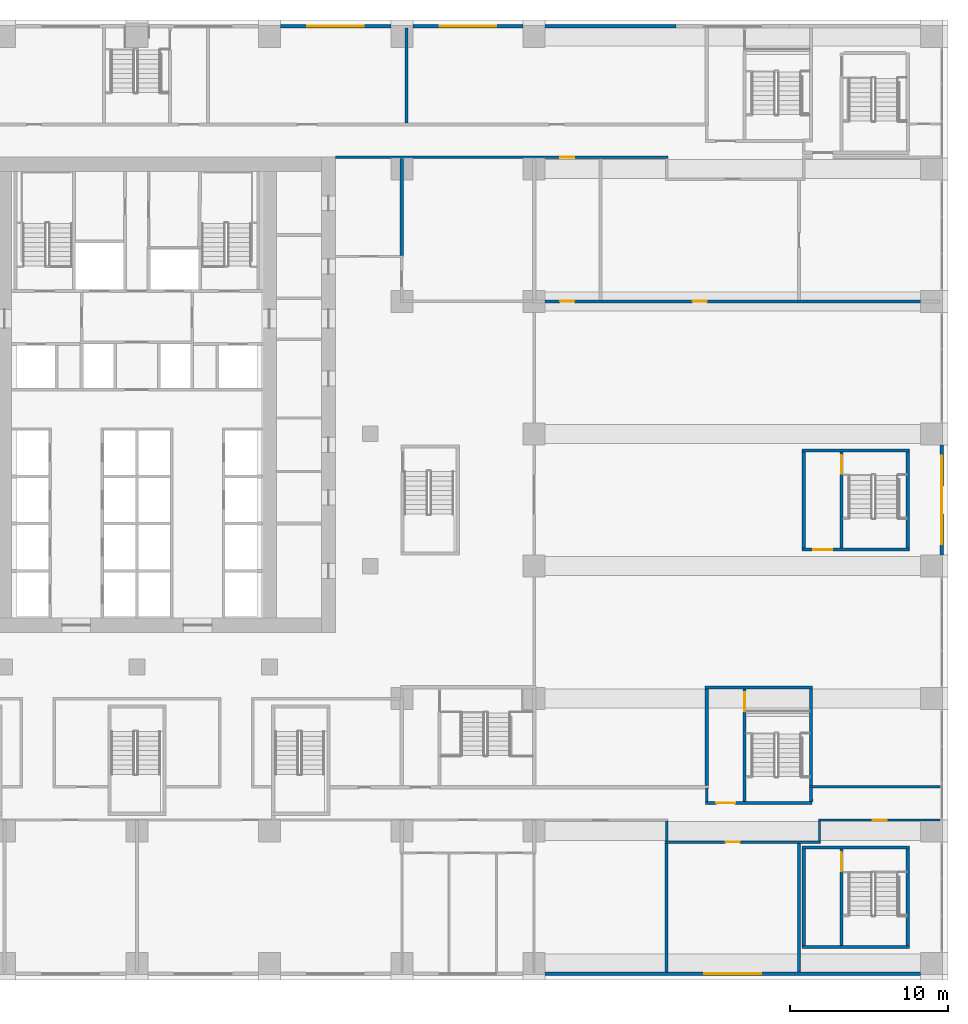
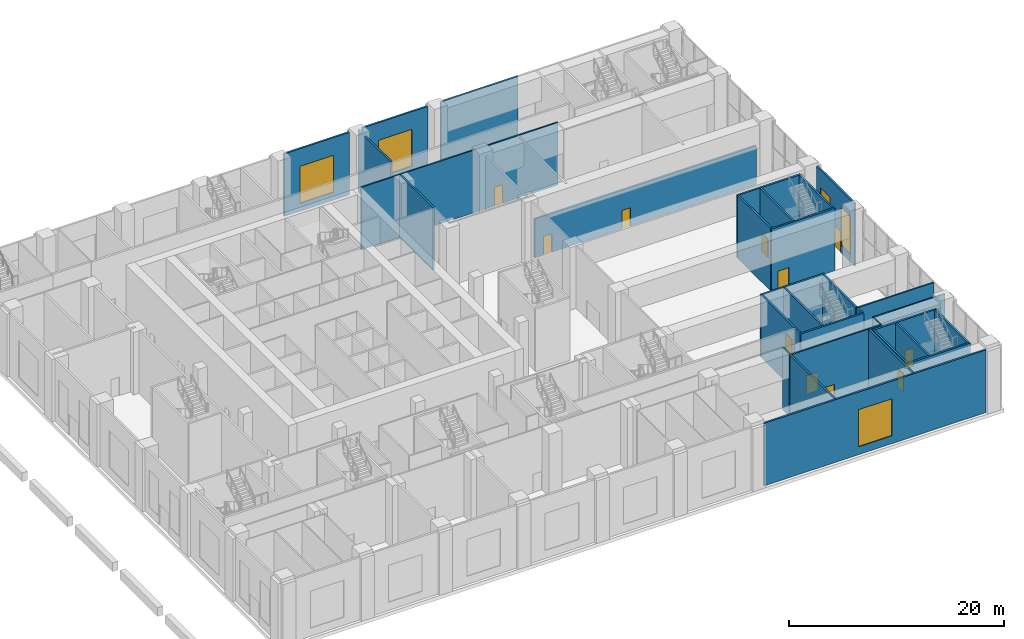
# One storey, part 13 of 29: 33 walls, 11 doors, 5 windows, 16 openings.
"""IFC4 building model written with IfcOpenShell, lengths in metres."""

from ifc_helpers import new_model, si_unit, direction, frame, frame_2d, origin, place, context, subcontext, project, spatial, rectangle, extrude, material, layer, layer_set, type_object, element, fill, save


model = new_model("IFC4")

# Units and contexts
model_context = context("Model", 3, precision=1e-05, world=origin(), true_north=direction((0.0, 1.0)))
body_context = subcontext(model_context, "Body", "Model", "MODEL_VIEW")
ifc_project = project(units=[si_unit("LENGTHUNIT", "METRE"), si_unit("AREAUNIT", "SQUARE_METRE"), si_unit("VOLUMEUNIT", "CUBIC_METRE"), si_unit("PLANEANGLEUNIT", "RADIAN"), si_unit("MASSUNIT", "GRAM", prefix="KILO")], contexts=[model_context])

# Site, building, storey
site_placement = place(None, origin())
site = spatial("IfcSite", under=ifc_project, at=site_placement, CompositionType="ELEMENT")
building_placement = place(site_placement, origin())
building = spatial("IfcBuilding", under=site, at=building_placement, Name="Vermilion Ogive Tower", CompositionType="ELEMENT")
storey_placement = place(building_placement, frame((0.0, 0.0, 12.5)))
storey = spatial("IfcBuildingStorey", under=building, at=storey_placement, Name="L02", CompositionType="ELEMENT", Elevation=12.5)

# Wall, opening, door
ifc_material_1 = material(Name="Gypsum board partition on steel studs", Category="steel")
ifc_layer_1 = layer(ifc_material_1, 0.14990234375)
ifc_layer_set_1 = layer_set([ifc_layer_1], Name="Partition 150 corridor")
wall_type_1 = type_object("IfcWallType", Name="Partition 150 corridor", PredefinedType="PARTITIONING", material=ifc_layer_set_1)
wall_1_placement = place(storey_placement, frame((33.5, -21.699951171875, 0.0), z_axis=(0.0, 0.0, 1.0), x_axis=(1.0, 0.0, 0.0)))
wall_1 = element("IfcWall", 1, at=wall_1_placement, inside=storey, type_object=wall_type_1, Name="L02-FS-W-W005", PredefinedType="PARTITIONING", context=body_context, shape_type="SweptSolid", body=[
    extrude(rectangle(XDim=9.875, YDim=0.14990234375, at=frame_2d((4.9375, 0.0))), origin(), (0.0, 0.0, 1.0), 7.10009765625),
])
opening_1_placement = place(wall_1_placement, frame((3.85009765625, 0.0, 0.0)))
opening_1 = element("IfcOpeningElement", 2, at=opening_1_placement, cuts=wall_1, Name="Opening L02S041", PredefinedType="OPENING", context=body_context, shape_type="SweptSolid", body=[
    extrude(rectangle(XDim=0.89990234375, YDim=2.10009765625, at=frame_2d((0.449951171875, 1.050048828125))), frame((0.0, 0.0849609375, 0.0), z_axis=(0.0, -1.0, 0.0), x_axis=(1.0, 0.0, 0.0)), (0.0, 0.0, 1.0), 0.169921875),
])
ifc_material_2 = material(Name="Timber door leaf", Category="wood")
door_type_1 = type_object("IfcDoorType", Name="Room door 900 x 2100 FD30", OperationType="SINGLE_SWING_LEFT", PredefinedType="DOOR", material=ifc_material_2)
door_1_placement = place(opening_1_placement, origin())
door_1 = element("IfcDoor", 3, at=door_1_placement, inside=storey, type_object=door_type_1, Name="L02-FS-D-D041", OperationType="SINGLE_SWING_RIGHT", OverallHeight=2.10009765625, OverallWidth=0.89990234375, PredefinedType="DOOR", context=body_context, shape_type="SweptSolid", body=[
    extrude(rectangle(XDim=0.89990234375, YDim=2.10009765625, at=frame_2d((0.449951171875, 1.050048828125))), frame((0.0, 0.02490234375, 0.0), z_axis=(0.0, -1.0, 0.0), x_axis=(1.0, 0.0, 0.0)), (0.0, 0.0, 1.0), 0.050048828125),
])
fill(opening_1, door_1)

wall_2_placement = place(storey_placement, frame((43.22509765625, -20.300048828125, 0.0), z_axis=(0.0, 0.0, 1.0), x_axis=(1.0, 0.0, 0.0)))
wall_2 = element("IfcWall", 4, at=wall_2_placement, inside=storey, type_object=wall_type_1, Name="L02-FS-W-W007", PredefinedType="PARTITIONING", context=body_context, shape_type="SweptSolid", body=[
    extrude(rectangle(XDim=7.724853515625, YDim=0.14990234375, at=frame_2d((3.8623046875, 0.0))), origin(), (0.0, 0.0, 1.0), 7.10009765625),
])
opening_2_placement = place(wall_2_placement, frame((3.449951171875, 0.0, 0.0)))
opening_2 = element("IfcOpeningElement", 5, at=opening_2_placement, cuts=wall_2, Name="Opening L02S042", PredefinedType="OPENING", context=body_context, shape_type="SweptSolid", body=[
    extrude(rectangle(XDim=0.89990234375, YDim=2.10009765625, at=frame_2d((0.449951171875, 1.050048828125))), frame((0.0, 0.0849609375, 0.0), z_axis=(0.0, -1.0, 0.0), x_axis=(1.0, 0.0, 0.0)), (0.0, 0.0, 1.0), 0.169921875),
])
door_2_placement = place(opening_2_placement, origin())
door_2 = element("IfcDoor", 6, at=door_2_placement, inside=storey, type_object=door_type_1, Name="L02-FS-D-D042", OperationType="SINGLE_SWING_RIGHT", OverallHeight=2.10009765625, OverallWidth=0.89990234375, PredefinedType="DOOR", context=body_context, shape_type="SweptSolid", body=[
    extrude(rectangle(XDim=0.89990234375, YDim=2.10009765625, at=frame_2d((0.449951171875, 1.050048828125))), frame((0.0, 0.02490234375, 0.0), z_axis=(0.0, -1.0, 0.0), x_axis=(1.0, 0.0, 0.0)), (0.0, 0.0, 1.0), 0.050048828125),
])
fill(opening_2, door_2)

# Wall
wall_3_placement = place(storey_placement, frame((42.64990234375, -18.199951171875, 0.0), z_axis=(0.0, 0.0, 1.0), x_axis=(1.0, 0.0, 0.0)))
element("IfcWall", 7, at=wall_3_placement, inside=storey, type_object=wall_type_1, Name="L02-FS-W-W015", PredefinedType="PARTITIONING", context=body_context, shape_type="SweptSolid", body=[
    extrude(rectangle(XDim=8.300048828125, YDim=0.14990234375, at=frame_2d((4.14990234375, 0.0))), origin(), (0.0, 0.0, 1.0), 7.10009765625),
])

# Wall, opening, door
wall_4_placement = place(storey_placement, frame((12.60107421875, 21.75, 0.0), z_axis=(0.0, 0.0, 1.0), x_axis=(1.0, 0.0, 0.0)))
wall_4 = element("IfcWall", 8, at=wall_4_placement, inside=storey, type_object=wall_type_1, Name="L02-FS-W-W030", PredefinedType="PARTITIONING", context=body_context, shape_type="SweptSolid", body=[
    extrude(rectangle(XDim=21.073974609375, YDim=0.14990234375, at=frame_2d((10.537109375, 0.0))), origin(), (0.0, 0.0, 1.0), 7.10009765625),
])
opening_3_placement = place(wall_4_placement, frame((14.2490234375, 0.0, 0.0)))
opening_3 = element("IfcOpeningElement", 9, at=opening_3_placement, cuts=wall_4, Name="Opening L02S032", PredefinedType="OPENING", context=body_context, shape_type="SweptSolid", body=[
    extrude(rectangle(XDim=0.89990234375, YDim=2.10009765625, at=frame_2d((0.449951171875, 1.050048828125))), frame((0.0, 0.0849609375, 0.0), z_axis=(0.0, -1.0, 0.0), x_axis=(1.0, 0.0, 0.0)), (0.0, 0.0, 1.0), 0.169921875),
])
door_3_placement = place(opening_3_placement, origin())
door_3 = element("IfcDoor", 10, at=door_3_placement, inside=storey, type_object=door_type_1, Name="L02-FS-D-D032", OperationType="SINGLE_SWING_LEFT", OverallHeight=2.10009765625, OverallWidth=0.89990234375, PredefinedType="DOOR", context=body_context, shape_type="SweptSolid", body=[
    extrude(rectangle(XDim=0.89990234375, YDim=2.10009765625, at=frame_2d((0.449951171875, 1.050048828125))), frame((0.0, 0.02490234375, 0.0), z_axis=(0.0, -1.0, 0.0), x_axis=(1.0, 0.0, 0.0)), (0.0, 0.0, 1.0), 0.050048828125),
])
fill(opening_3, door_3)

# Walls
wall_5_placement = place(storey_placement, frame((33.60009765625, -21.625, 0.0), z_axis=(0.0, 0.0, 1.0), x_axis=(0.0, 1.0, 0.0)))
element("IfcWall", 11, at=wall_5_placement, inside=storey, type_object=wall_type_1, Name="L02-FS-W-W077", PredefinedType="PARTITIONING", context=body_context, shape_type="SweptSolid", body=[
    extrude(rectangle(XDim=1.25, YDim=0.14990234375, at=frame_2d((0.625, 0.0))), origin(), (0.0, 0.0, 1.0), 7.10009765625),
])
wall_6_placement = place(storey_placement, frame((36.14990234375, -19.125, 0.0), z_axis=(0.0, 0.0, 1.0), x_axis=(0.0, 1.0, 0.0)))
element("IfcWall", 12, at=wall_6_placement, inside=storey, type_object=wall_type_1, Name="L02-FS-W-W079", PredefinedType="PARTITIONING", context=body_context, shape_type="SweptSolid", body=[
    extrude(rectangle(XDim=0.85009765625, YDim=0.14990234375, at=frame_2d((0.425048828125, 0.0))), origin(), (0.0, 0.0, 1.0), 7.10009765625),
])
wall_7_placement = place(storey_placement, frame((43.300048828125, -21.625, 0.0), z_axis=(0.0, 0.0, 1.0), x_axis=(0.0, 1.0, 0.0)))
element("IfcWall", 13, at=wall_7_placement, inside=storey, type_object=wall_type_1, Name="L02-FS-W-W094", PredefinedType="PARTITIONING", context=body_context, shape_type="SweptSolid", body=[
    extrude(rectangle(XDim=1.25, YDim=0.14990234375, at=frame_2d((0.625, 0.0))), origin(), (0.0, 0.0, 1.0), 7.10009765625),
])
ifc_material_3 = material(Name="Gypsum board partition on steel studs", Category="steel")
ifc_layer_2 = layer(ifc_material_3, 0.199951171875)
ifc_layer_set_2 = layer_set([ifc_layer_2], Name="Partition 200 party")
wall_type_2 = type_object("IfcWallType", Name="Partition 200 party", PredefinedType="PARTITIONING", material=ifc_layer_set_2)
wall_8_placement = place(storey_placement, frame((16.800048828125, 15.52490234375, 0.0), z_axis=(0.0, 0.0, 1.0), x_axis=(0.0, 1.0, 0.0)))
element("IfcWall", 14, at=wall_8_placement, inside=storey, type_object=wall_type_2, Name="L02-FS-W-W065", PredefinedType="PARTITIONING", context=body_context, shape_type="SweptSolid", body=[
    extrude(rectangle(XDim=6.150146484375, YDim=0.199951171875, at=frame_2d((3.0751953125, 0.0))), origin(), (0.0, 0.0, 1.0), 7.10009765625),
])
wall_9_placement = place(storey_placement, frame((17.10009765625, 23.925048828125, 0.0), z_axis=(0.0, 0.0, 1.0), x_axis=(0.0, 1.0, 0.0)))
element("IfcWall", 15, at=wall_9_placement, inside=storey, type_object=wall_type_2, Name="L02-FS-W-W066", PredefinedType="PARTITIONING", context=body_context, shape_type="SweptSolid", body=[
    extrude(rectangle(XDim=6.02490234375, YDim=0.199951171875, at=frame_2d((3.012451171875, 0.0))), origin(), (0.0, 0.0, 1.0), 7.10009765625),
])
wall_10_placement = place(storey_placement, frame((33.60009765625, -29.949951171875, 0.0), z_axis=(0.0, 0.0, 1.0), x_axis=(0.0, 1.0, 0.0)))
element("IfcWall", 16, at=wall_10_placement, inside=storey, type_object=wall_type_2, Name="L02-FS-W-W076", PredefinedType="PARTITIONING", context=body_context, shape_type="SweptSolid", body=[
    extrude(rectangle(XDim=8.175048828125, YDim=0.199951171875, at=frame_2d((4.08740234375, 0.0))), origin(), (0.0, 0.0, 1.0), 7.10009765625),
])
wall_11_placement = place(storey_placement, frame((36.14990234375, -18.125, 0.0), z_axis=(0.0, 0.0, 1.0), x_axis=(0.0, 1.0, 0.0)))
element("IfcWall", 17, at=wall_11_placement, inside=storey, type_object=wall_type_2, Name="L02-FS-W-W080", PredefinedType="PARTITIONING", context=body_context, shape_type="SweptSolid", body=[
    extrude(rectangle(XDim=6.125, YDim=0.199951171875, at=frame_2d((3.0625, 0.0))), origin(), (0.0, 0.0, 1.0), 7.10009765625),
])
wall_12_placement = place(storey_placement, frame((42.0, -29.949951171875, 0.0), z_axis=(0.0, 0.0, 1.0), x_axis=(0.0, 1.0, 0.0)))
element("IfcWall", 18, at=wall_12_placement, inside=storey, type_object=wall_type_2, Name="L02-FS-W-W085", PredefinedType="PARTITIONING", context=body_context, shape_type="SweptSolid", body=[
    extrude(rectangle(XDim=8.175048828125, YDim=0.199951171875, at=frame_2d((4.08740234375, 0.0))), origin(), (0.0, 0.0, 1.0), 7.10009765625),
])
for number, where, z_axis, x_axis, name in (
    (19, (42.300048828125, -28.25, 0.0), (0.0, 0.0, 1.0), (0.0, 1.0, 0.0), "L02-FS-W-W087"),
    (20, (42.300048828125, -3.050048828125, 0.0), (0.0, 0.0, 1.0), (0.0, 1.0, 0.0), "L02-FS-W-W088"),
):
    element("IfcWall", number, at=place(storey_placement, frame(where, z_axis=z_axis, x_axis=x_axis)), inside=storey, type_object=wall_type_2, Name=name, PredefinedType="PARTITIONING", context=body_context, shape_type="SweptSolid", body=[
        extrude(rectangle(XDim=6.10009765625, YDim=0.199951171875, at=frame_2d((3.050048828125, 0.0))), origin(), (0.0, 0.0, 1.0), 7.10009765625),
    ])

# Wall, openings, doors
wall_13_placement = place(storey_placement, frame((25.89990234375, 12.60009765625, 0.0), z_axis=(0.0, 0.0, 1.0), x_axis=(1.0, 0.0, 0.0)))
wall_13 = element("IfcWall", 21, at=wall_13_placement, inside=storey, type_object=wall_type_2, Name="L02-FS-W-W026-h1", PredefinedType="PARTITIONING", context=body_context, shape_type="SweptSolid", body=[
    extrude(rectangle(XDim=23.800048828125, YDim=0.199951171875, at=frame_2d((11.89990234375, 0.0))), origin(), (0.0, 0.0, 1.0), 4.39990234375),
])
opening_4_placement = place(wall_13_placement, frame((0.9501953125, 0.0, 0.0)))
opening_4 = element("IfcOpeningElement", 22, at=opening_4_placement, cuts=wall_13, Name="Opening L02S031", PredefinedType="OPENING", context=body_context, shape_type="SweptSolid", body=[
    extrude(rectangle(XDim=0.89990234375, YDim=2.10009765625, at=frame_2d((0.449951171875, 1.050048828125))), frame((0.0, 0.10986328125, 0.0), z_axis=(0.0, -1.0, 0.0), x_axis=(1.0, 0.0, 0.0)), (0.0, 0.0, 1.0), 0.219970703125),
])
opening_5_placement = place(wall_13_placement, frame((9.35009765625, 0.0, 0.0)))
opening_5 = element("IfcOpeningElement", 23, at=opening_5_placement, cuts=wall_13, Name="Opening L02S033", PredefinedType="OPENING", context=body_context, shape_type="SweptSolid", body=[
    extrude(rectangle(XDim=0.89990234375, YDim=2.10009765625, at=frame_2d((0.449951171875, 1.050048828125))), frame((0.0, 0.10986328125, 0.0), z_axis=(0.0, -1.0, 0.0), x_axis=(1.0, 0.0, 0.0)), (0.0, 0.0, 1.0), 0.219970703125),
])
door_4_placement = place(opening_4_placement, origin())
door_4 = element("IfcDoor", 24, at=door_4_placement, inside=storey, type_object=door_type_1, Name="L02-FS-D-D031", OperationType="SINGLE_SWING_RIGHT", OverallHeight=2.10009765625, OverallWidth=0.89990234375, PredefinedType="DOOR", context=body_context, shape_type="SweptSolid", body=[
    extrude(rectangle(XDim=0.89990234375, YDim=2.10009765625, at=frame_2d((0.449951171875, 1.050048828125))), frame((0.0, 0.02490234375, 0.0), z_axis=(0.0, -1.0, 0.0), x_axis=(1.0, 0.0, 0.0)), (0.0, 0.0, 1.0), 0.050048828125),
])
fill(opening_4, door_4)
door_5_placement = place(opening_5_placement, origin())
door_5 = element("IfcDoor", 25, at=door_5_placement, inside=storey, type_object=door_type_1, Name="L02-FS-D-D033", OperationType="SINGLE_SWING_LEFT", OverallHeight=2.10009765625, OverallWidth=0.89990234375, PredefinedType="DOOR", context=body_context, shape_type="SweptSolid", body=[
    extrude(rectangle(XDim=0.89990234375, YDim=2.10009765625, at=frame_2d((0.449951171875, 1.050048828125))), frame((0.0, 0.02490234375, 0.0), z_axis=(0.0, -1.0, 0.0), x_axis=(1.0, 0.0, 0.0)), (0.0, 0.0, 1.0), 0.050048828125),
])
fill(opening_5, door_5)

# Walls
ifc_material_4 = material(Name="Concrete B60", Category="concrete")
ifc_layer_3 = layer(ifc_material_4, 0.199951171875)
ifc_layer_set_3 = layer_set([ifc_layer_3], Name="Stair shaft wall 200 Concrete B60")
wall_type_3 = type_object("IfcWallType", Name="Stair shaft wall 200 Concrete B60", PredefinedType="SOLIDWALL", material=ifc_layer_set_3)
for number, where, z_axis, x_axis, name in (
    (26, (42.199951171875, -28.35009765625, 0.0), (0.0, 0.0, 1.0), (1.0, 0.0, 0.0), "L02-FS-W-W001"),
    (27, (42.199951171875, -22.050048828125, 0.0), (0.0, 0.0, 1.0), (1.0, 0.0, 0.0), "L02-FS-W-W004"),
):
    element("IfcWall", number, at=place(storey_placement, frame(where, z_axis=z_axis, x_axis=x_axis)), inside=storey, type_object=wall_type_3, Name=name, PredefinedType="SOLIDWALL", context=body_context, shape_type="SweptSolid", body=[
        extrude(rectangle(XDim=6.800048828125, YDim=0.199951171875, at=frame_2d((3.39990234375, 0.0))), origin(), (0.0, 0.0, 1.0), 7.10009765625),
    ])

# Wall, opening, door
wall_14_placement = place(storey_placement, frame((36.074951171875, -19.224853515625, 0.0), z_axis=(0.0, 0.0, 1.0), x_axis=(1.0, 0.0, 0.0)))
wall_14 = element("IfcWall", 28, at=wall_14_placement, inside=storey, type_object=wall_type_3, Name="L02-FS-W-W008", PredefinedType="SOLIDWALL", context=body_context, shape_type="SweptSolid", body=[
    extrude(rectangle(XDim=6.75, YDim=0.199951171875, at=frame_2d((3.375, 0.0))), origin(), (0.0, 0.0, 1.0), 7.10009765625),
])
opening_6_placement = place(wall_14_placement, frame((0.675048828125, 0.0, 0.0)))
opening_6 = element("IfcOpeningElement", 29, at=opening_6_placement, cuts=wall_14, Name="Opening L02S015", PredefinedType="OPENING", context=body_context, shape_type="SweptSolid", body=[
    extrude(rectangle(XDim=1.199951171875, YDim=2.10009765625, at=frame_2d((0.60009765625, 1.050048828125))), frame((0.0, 0.10986328125, 0.0), z_axis=(0.0, -1.0, 0.0), x_axis=(1.0, 0.0, 0.0)), (0.0, 0.0, 1.0), 0.219970703125),
])
ifc_material_5 = material(Name="Timber door leaf", Category="wood")
door_type_2 = type_object("IfcDoorType", Name="Stair door 1200 x 2100 FD60S", OperationType="SINGLE_SWING_LEFT", PredefinedType="DOOR", material=ifc_material_5)
door_6_placement = place(opening_6_placement, origin())
door_6 = element("IfcDoor", 30, at=door_6_placement, inside=storey, type_object=door_type_2, Name="L02-FS-D-D015", OperationType="SINGLE_SWING_LEFT", OverallHeight=2.10009765625, OverallWidth=1.199951171875, PredefinedType="DOOR", context=body_context, shape_type="SweptSolid", body=[
    extrude(rectangle(XDim=1.199951171875, YDim=2.10009765625, at=frame_2d((0.60009765625, 1.050048828125))), frame((0.0, 0.02490234375, 0.0), z_axis=(0.0, -1.0, 0.0), x_axis=(1.0, 0.0, 0.0)), (0.0, 0.0, 1.0), 0.050048828125),
])
fill(opening_6, door_6)

# Wall
wall_15_placement = place(storey_placement, frame((36.050048828125, -11.89990234375, 0.0), z_axis=(0.0, 0.0, 1.0), x_axis=(1.0, 0.0, 0.0)))
element("IfcWall", 31, at=wall_15_placement, inside=storey, type_object=wall_type_3, Name="L02-FS-W-W021", PredefinedType="SOLIDWALL", context=body_context, shape_type="SweptSolid", body=[
    extrude(rectangle(XDim=6.800048828125, YDim=0.199951171875, at=frame_2d((3.39990234375, 0.0))), origin(), (0.0, 0.0, 1.0), 7.10009765625),
])

# Wall, opening, door
wall_16_placement = place(storey_placement, frame((42.199951171875, -3.14990234375, 0.0), z_axis=(0.0, 0.0, 1.0), x_axis=(1.0, 0.0, 0.0)))
wall_16 = element("IfcWall", 32, at=wall_16_placement, inside=storey, type_object=wall_type_3, Name="L02-FS-W-W022", PredefinedType="SOLIDWALL", context=body_context, shape_type="SweptSolid", body=[
    extrude(rectangle(XDim=6.800048828125, YDim=0.199951171875, at=frame_2d((3.39990234375, 0.0))), origin(), (0.0, 0.0, 1.0), 7.10009765625),
])
opening_7_placement = place(wall_16_placement, frame((0.699951171875, 0.0, 0.0)))
opening_7 = element("IfcOpeningElement", 33, at=opening_7_placement, cuts=wall_16, Name="Opening L02S017", PredefinedType="OPENING", context=body_context, shape_type="SweptSolid", body=[
    extrude(rectangle(XDim=1.199951171875, YDim=2.10009765625, at=frame_2d((0.60009765625, 1.050048828125))), frame((0.0, 0.10986328125, 0.0), z_axis=(0.0, -1.0, 0.0), x_axis=(1.0, 0.0, 0.0)), (0.0, 0.0, 1.0), 0.219970703125),
])
door_7_placement = place(opening_7_placement, origin())
door_7 = element("IfcDoor", 34, at=door_7_placement, inside=storey, type_object=door_type_2, Name="L02-FS-D-D017", OperationType="SINGLE_SWING_LEFT", OverallHeight=2.10009765625, OverallWidth=1.199951171875, PredefinedType="DOOR", context=body_context, shape_type="SweptSolid", body=[
    extrude(rectangle(XDim=1.199951171875, YDim=2.10009765625, at=frame_2d((0.60009765625, 1.050048828125))), frame((0.0, 0.02490234375, 0.0), z_axis=(0.0, -1.0, 0.0), x_axis=(1.0, 0.0, 0.0)), (0.0, 0.0, 1.0), 0.050048828125),
])
fill(opening_7, door_7)

# Wall
wall_17_placement = place(storey_placement, frame((42.199951171875, 3.14990234375, 0.0), z_axis=(0.0, 0.0, 1.0), x_axis=(1.0, 0.0, 0.0)))
element("IfcWall", 35, at=wall_17_placement, inside=storey, type_object=wall_type_3, Name="L02-FS-W-W023", PredefinedType="SOLIDWALL", context=body_context, shape_type="SweptSolid", body=[
    extrude(rectangle(XDim=6.800048828125, YDim=0.199951171875, at=frame_2d((3.39990234375, 0.0))), origin(), (0.0, 0.0, 1.0), 7.10009765625),
])

# Wall, opening, door
wall_18_placement = place(storey_placement, frame((38.550048828125, -19.125, 0.0), z_axis=(0.0, 0.0, 1.0), x_axis=(0.0, 1.0, 0.0)))
wall_18 = element("IfcWall", 36, at=wall_18_placement, inside=storey, type_object=wall_type_3, Name="L02-FS-W-W083", PredefinedType="SOLIDWALL", context=body_context, shape_type="SweptSolid", body=[
    extrude(rectangle(XDim=7.125, YDim=0.199951171875, at=frame_2d((3.5625, 0.0))), origin(), (0.0, 0.0, 1.0), 7.10009765625),
])
opening_8_placement = place(wall_18_placement, frame((5.72509765625, 0.0, 0.0)))
opening_8 = element("IfcOpeningElement", 37, at=opening_8_placement, cuts=wall_18, Name="Opening L02S006", PredefinedType="OPENING", context=body_context, shape_type="SweptSolid", body=[
    extrude(rectangle(XDim=1.199951171875, YDim=2.10009765625, at=frame_2d((0.60009765625, 1.050048828125))), frame((0.0, 0.10986328125, 0.0), z_axis=(0.0, -1.0, 0.0), x_axis=(1.0, 0.0, 0.0)), (0.0, 0.0, 1.0), 0.219970703125),
])
door_8_placement = place(opening_8_placement, origin())
door_8 = element("IfcDoor", 38, at=door_8_placement, inside=storey, type_object=door_type_2, Name="L02-FS-D-D006", OperationType="DOUBLE_DOOR_SINGLE_SWING", OverallHeight=2.10009765625, OverallWidth=1.199951171875, PredefinedType="DOOR", context=body_context, shape_type="SweptSolid", body=[
    extrude(rectangle(XDim=1.199951171875, YDim=2.10009765625, at=frame_2d((0.60009765625, 1.050048828125))), frame((0.0, 0.02490234375, 0.0), z_axis=(0.0, -1.0, 0.0), x_axis=(1.0, 0.0, 0.0)), (0.0, 0.0, 1.0), 0.050048828125),
])
fill(opening_8, door_8)

# Wall
wall_19_placement = place(storey_placement, frame((42.77490234375, -19.125, 0.0), z_axis=(0.0, 0.0, 1.0), x_axis=(-0.028448302746, 0.99959526513, 0.0)))
element("IfcWall", 39, at=wall_19_placement, inside=storey, type_object=wall_type_3, Name="L02-FS-W-W091", PredefinedType="SOLIDWALL", context=body_context, shape_type="SweptSolid", body=[
    extrude(rectangle(XDim=0.875244140625, YDim=0.199951171875, at=frame_2d((0.4375, 0.0))), origin(), (0.0, 0.0, 1.0), 7.10009765625),
])

# Wall, opening, door
wall_20_placement = place(storey_placement, frame((44.699951171875, -28.25, 0.0), z_axis=(0.0, 0.0, 1.0), x_axis=(0.0, 1.0, 0.0)))
wall_20 = element("IfcWall", 40, at=wall_20_placement, inside=storey, type_object=wall_type_3, Name="L02-FS-W-W095", PredefinedType="SOLIDWALL", context=body_context, shape_type="SweptSolid", body=[
    extrude(rectangle(XDim=6.10009765625, YDim=0.199951171875, at=frame_2d((3.050048828125, 0.0))), origin(), (0.0, 0.0, 1.0), 7.10009765625),
])
opening_9_placement = place(wall_20_placement, frame((4.7001953125, 0.0, 0.0)))
opening_9 = element("IfcOpeningElement", 41, at=opening_9_placement, cuts=wall_20, Name="Opening L02S009", PredefinedType="OPENING", context=body_context, shape_type="SweptSolid", body=[
    extrude(rectangle(XDim=1.199951171875, YDim=2.10009765625, at=frame_2d((0.60009765625, 1.050048828125))), frame((0.0, 0.10986328125, 0.0), z_axis=(0.0, -1.0, 0.0), x_axis=(1.0, 0.0, 0.0)), (0.0, 0.0, 1.0), 0.219970703125),
])
door_9_placement = place(opening_9_placement, origin())
door_9 = element("IfcDoor", 42, at=door_9_placement, inside=storey, type_object=door_type_2, Name="L02-FS-D-D009", OperationType="DOUBLE_DOOR_SINGLE_SWING", OverallHeight=2.10009765625, OverallWidth=1.199951171875, PredefinedType="DOOR", context=body_context, shape_type="SweptSolid", body=[
    extrude(rectangle(XDim=1.199951171875, YDim=2.10009765625, at=frame_2d((0.60009765625, 1.050048828125))), frame((0.0, 0.02490234375, 0.0), z_axis=(0.0, -1.0, 0.0), x_axis=(1.0, 0.0, 0.0)), (0.0, 0.0, 1.0), 0.050048828125),
])
fill(opening_9, door_9)

wall_21_placement = place(storey_placement, frame((44.699951171875, -3.050048828125, 0.0), z_axis=(0.0, 0.0, 1.0), x_axis=(0.0, 1.0, 0.0)))
wall_21 = element("IfcWall", 43, at=wall_21_placement, inside=storey, type_object=wall_type_3, Name="L02-FS-W-W096", PredefinedType="SOLIDWALL", context=body_context, shape_type="SweptSolid", body=[
    extrude(rectangle(XDim=6.10009765625, YDim=0.199951171875, at=frame_2d((3.050048828125, 0.0))), origin(), (0.0, 0.0, 1.0), 7.10009765625),
])
opening_10_placement = place(wall_21_placement, frame((4.7001953125, 0.0, 0.0)))
opening_10 = element("IfcOpeningElement", 44, at=opening_10_placement, cuts=wall_21, Name="Opening L02S008", PredefinedType="OPENING", context=body_context, shape_type="SweptSolid", body=[
    extrude(rectangle(XDim=1.199951171875, YDim=2.10009765625, at=frame_2d((0.60009765625, 1.050048828125))), frame((0.0, 0.10986328125, 0.0), z_axis=(0.0, -1.0, 0.0), x_axis=(1.0, 0.0, 0.0)), (0.0, 0.0, 1.0), 0.219970703125),
])
door_10_placement = place(opening_10_placement, origin())
door_10 = element("IfcDoor", 45, at=door_10_placement, inside=storey, type_object=door_type_2, Name="L02-FS-D-D008", OperationType="DOUBLE_DOOR_SINGLE_SWING", OverallHeight=2.10009765625, OverallWidth=1.199951171875, PredefinedType="DOOR", context=body_context, shape_type="SweptSolid", body=[
    extrude(rectangle(XDim=1.199951171875, YDim=2.10009765625, at=frame_2d((0.60009765625, 1.050048828125))), frame((0.0, 0.02490234375, 0.0), z_axis=(0.0, -1.0, 0.0), x_axis=(1.0, 0.0, 0.0)), (0.0, 0.0, 1.0), 0.050048828125),
])
fill(opening_10, door_10)

# Walls
for number, where, z_axis, x_axis, name in (
    (46, (48.89990234375, -28.25, 0.0), (0.0, 0.0, 1.0), (0.0, 1.0, 0.0), "L02-FS-W-W098"),
    (47, (48.89990234375, -3.050048828125, 0.0), (0.0, 0.0, 1.0), (0.0, 1.0, 0.0), "L02-FS-W-W099"),
):
    element("IfcWall", number, at=place(storey_placement, frame(where, z_axis=z_axis, x_axis=x_axis)), inside=storey, type_object=wall_type_3, Name=name, PredefinedType="SOLIDWALL", context=body_context, shape_type="SweptSolid", body=[
        extrude(rectangle(XDim=6.10009765625, YDim=0.199951171875, at=frame_2d((3.050048828125, 0.0))), origin(), (0.0, 0.0, 1.0), 7.10009765625),
    ])
wall_22_placement = place(storey_placement, frame((42.75, -18.125, 0.0), z_axis=(0.0, 0.0, 1.0), x_axis=(0.0, 1.0, 0.0)))
element("IfcWall", 48, at=wall_22_placement, inside=storey, type_object=wall_type_3, Name="L02-FS-W-W092-A", PredefinedType="SOLIDWALL", context=body_context, shape_type="SweptSolid", body=[
    extrude(rectangle(XDim=6.125, YDim=0.199951171875, at=frame_2d((3.0625, 0.0))), origin(), (0.0, 0.0, 1.0), 7.10009765625),
])
wall_23_placement = place(storey_placement, frame((25.89990234375, 30.050048828125, 0.0), z_axis=(0.0, 0.0, 1.0), x_axis=(1.0, 0.0, 0.0)))
element("IfcWall", 49, at=wall_23_placement, inside=storey, type_object=wall_type_3, Name="env/L02/N/w0-B-B", PredefinedType="SOLIDWALL", context=body_context, shape_type="SweptSolid", body=[
    extrude(rectangle(XDim=8.300048828125, YDim=0.199951171875, at=frame_2d((4.14990234375, 0.0))), origin(), (0.0, 0.0, 1.0), 7.10009765625),
])

# Wall, opening, window
ifc_material_6 = material(Name="Aluminium window wall framing", Category="aluminium")
ifc_layer_4 = layer(ifc_material_6, 0.199951171875)
ifc_layer_set_4 = layer_set([ifc_layer_4], Name="Window wall")
wall_type_4 = type_object("IfcWallType", Name="Window wall", PredefinedType="STANDARD", material=ifc_layer_set_4)
wall_24_placement = place(storey_placement, frame((25.89990234375, -30.050048828125, 0.0), z_axis=(0.0, 0.0, 1.0), x_axis=(1.0, 0.0, 0.0)))
wall_24 = element("IfcWall", 50, at=wall_24_placement, inside=storey, type_object=wall_type_4, Name="Window wall S7", PredefinedType="STANDARD", context=body_context, shape_type="SweptSolid", body=[
    extrude(rectangle(XDim=23.800048828125, YDim=0.199951171875, at=frame_2d((11.89990234375, 0.0))), origin(), (0.0, 0.0, 1.0), 7.10009765625),
])
opening_11_placement = place(wall_24_placement, frame((10.10009765625, 0.0, 0.89990234375)))
opening_11 = element("IfcOpeningElement", 51, at=opening_11_placement, cuts=wall_24, Name="Opening P-S7", PredefinedType="OPENING", context=body_context, shape_type="SweptSolid", body=[
    extrude(rectangle(XDim=3.60009765625, YDim=4.199951171875, at=frame_2d((1.800048828125, 2.10009765625))), frame((0.0, 0.10986328125, 0.0), z_axis=(0.0, -1.0, 0.0), x_axis=(1.0, 0.0, 0.0)), (0.0, 0.0, 1.0), 0.219970703125),
])
ifc_material_7 = material(Name="Aluminium framed double glazing", Category="aluminium")
window_type_1 = type_object("IfcWindowType", Name="Podium window P 3600x4200 sill 900", PartitioningType="SINGLE_PANEL", PredefinedType="WINDOW", material=ifc_material_7)
window_1_placement = place(opening_11_placement, origin())
window_1 = element("IfcWindow", 52, at=window_1_placement, inside=storey, type_object=window_type_1, Name="Window S7", OverallHeight=4.199951171875, OverallWidth=3.60009765625, PartitioningType="SINGLE_PANEL", PredefinedType="WINDOW", context=body_context, shape_type="SweptSolid", body=[
    extrude(rectangle(XDim=3.60009765625, YDim=4.199951171875, at=frame_2d((1.800048828125, 2.10009765625))), frame((0.0, 0.030029296875, 0.0), z_axis=(0.0, -1.0, 0.0), x_axis=(1.0, 0.0, 0.0)), (0.0, 0.0, 1.0), 0.06005859375),
])
fill(opening_11, window_1)

# Wall, openings, windows, door
wall_25_placement = place(storey_placement, frame((51.050048828125, -3.5, 0.0), z_axis=(0.0, 0.0, 1.0), x_axis=(0.0, 1.0, 0.0)))
wall_25 = element("IfcWall", 53, at=wall_25_placement, inside=storey, type_object=wall_type_4, Name="Window wall E4", PredefinedType="STANDARD", context=body_context, shape_type="SweptSolid", body=[
    extrude(rectangle(XDim=7.0, YDim=0.199951171875, at=frame_2d((3.5, 0.0))), origin(), (0.0, 0.0, 1.0), 7.10009765625),
])
opening_12_placement = place(wall_25_placement, frame((0.699951171875, 0.0, 0.89990234375)))
opening_12 = element("IfcOpeningElement", 54, at=opening_12_placement, cuts=wall_25, Name="Opening P-E4A", PredefinedType="OPENING", context=body_context, shape_type="SweptSolid", body=[
    extrude(rectangle(XDim=1.800048828125, YDim=4.199951171875, at=frame_2d((0.89990234375, 2.10009765625))), frame((0.0, 0.10986328125, 0.0), z_axis=(0.0, -1.0, 0.0), x_axis=(1.0, 0.0, 0.0)), (0.0, 0.0, 1.0), 0.219970703125),
])
opening_13_placement = place(wall_25_placement, frame((2.60009765625, 0.0, 0.0)))
opening_13 = element("IfcOpeningElement", 55, at=opening_13_placement, cuts=wall_25, Name="Opening D2-E4", PredefinedType="OPENING", context=body_context, shape_type="SweptSolid", body=[
    extrude(rectangle(XDim=1.800048828125, YDim=2.39990234375, at=frame_2d((0.89990234375, 1.199951171875))), frame((0.0, 0.10986328125, 0.0), z_axis=(0.0, -1.0, 0.0), x_axis=(1.0, 0.0, 0.0)), (0.0, 0.0, 1.0), 0.219970703125),
])
opening_14_placement = place(wall_25_placement, frame((4.5, 0.0, 0.89990234375)))
opening_14 = element("IfcOpeningElement", 56, at=opening_14_placement, cuts=wall_25, Name="Opening P-E4B", PredefinedType="OPENING", context=body_context, shape_type="SweptSolid", body=[
    extrude(rectangle(XDim=1.800048828125, YDim=4.199951171875, at=frame_2d((0.89990234375, 2.10009765625))), frame((0.0, 0.10986328125, 0.0), z_axis=(0.0, -1.0, 0.0), x_axis=(1.0, 0.0, 0.0)), (0.0, 0.0, 1.0), 0.219970703125),
])
ifc_material_8 = material(Name="Aluminium framed double glazing", Category="aluminium")
window_type_2 = type_object("IfcWindowType", Name="Podium window P 1800x4200 sill 900", PartitioningType="SINGLE_PANEL", PredefinedType="WINDOW", material=ifc_material_8)
window_2_placement = place(opening_12_placement, origin())
window_2 = element("IfcWindow", 57, at=window_2_placement, inside=storey, type_object=window_type_2, Name="Window E4A", OverallHeight=4.199951171875, OverallWidth=1.800048828125, PartitioningType="SINGLE_PANEL", PredefinedType="WINDOW", context=body_context, shape_type="SweptSolid", body=[
    extrude(rectangle(XDim=1.800048828125, YDim=4.199951171875, at=frame_2d((0.89990234375, 2.10009765625))), frame((0.0, 0.030029296875, 0.0), z_axis=(0.0, -1.0, 0.0), x_axis=(1.0, 0.0, 0.0)), (0.0, 0.0, 1.0), 0.06005859375),
])
fill(opening_12, window_2)
window_3_placement = place(opening_14_placement, origin())
window_3 = element("IfcWindow", 58, at=window_3_placement, inside=storey, type_object=window_type_2, Name="Window E4B", OverallHeight=4.199951171875, OverallWidth=1.800048828125, PartitioningType="SINGLE_PANEL", PredefinedType="WINDOW", context=body_context, shape_type="SweptSolid", body=[
    extrude(rectangle(XDim=1.800048828125, YDim=4.199951171875, at=frame_2d((0.89990234375, 2.10009765625))), frame((0.0, 0.030029296875, 0.0), z_axis=(0.0, -1.0, 0.0), x_axis=(1.0, 0.0, 0.0)), (0.0, 0.0, 1.0), 0.06005859375),
])
fill(opening_14, window_3)
ifc_material_9 = material(Name="Aluminium framed glazed door", Category="aluminium")
door_type_3 = type_object("IfcDoorType", Name="Terrace door D2", OperationType="SINGLE_SWING_LEFT", PredefinedType="DOOR", material=ifc_material_9)
door_11_placement = place(opening_13_placement, origin())
door_11 = element("IfcDoor", 59, at=door_11_placement, inside=storey, type_object=door_type_3, Name="Terrace door E4", OperationType="SINGLE_SWING_LEFT", OverallHeight=2.39990234375, OverallWidth=1.800048828125, PredefinedType="DOOR", context=body_context, shape_type="SweptSolid", body=[
    extrude(rectangle(XDim=1.800048828125, YDim=2.39990234375, at=frame_2d((0.89990234375, 1.199951171875))), frame((0.0, 0.02490234375, 0.0), z_axis=(0.0, -1.0, 0.0), x_axis=(1.0, 0.0, 0.0)), (0.0, 0.0, 1.0), 0.050048828125),
])
fill(opening_13, door_11)

# Wall, opening, window
wall_26_placement = place(storey_placement, frame((24.5, 30.050048828125, 0.0), z_axis=(0.0, 0.0, 1.0), x_axis=(-1.0, 0.0, 0.0)))
wall_26 = element("IfcWall", 60, at=wall_26_placement, inside=storey, type_object=wall_type_4, Name="Window wall N2", PredefinedType="STANDARD", context=body_context, shape_type="SweptSolid", body=[
    extrude(rectangle(XDim=7.0, YDim=0.199951171875, at=frame_2d((3.5, 0.0))), origin(), (0.0, 0.0, 1.0), 7.10009765625),
])
opening_15_placement = place(wall_26_placement, frame((1.699951171875, 0.0, 0.89990234375)))
opening_15 = element("IfcOpeningElement", 61, at=opening_15_placement, cuts=wall_26, Name="Opening P-N2", PredefinedType="OPENING", context=body_context, shape_type="SweptSolid", body=[
    extrude(rectangle(XDim=3.60009765625, YDim=4.199951171875, at=frame_2d((1.800048828125, 2.10009765625))), frame((0.0, 0.10986328125, 0.0), z_axis=(0.0, -1.0, 0.0), x_axis=(1.0, 0.0, 0.0)), (0.0, 0.0, 1.0), 0.219970703125),
])
window_4_placement = place(opening_15_placement, origin())
window_4 = element("IfcWindow", 62, at=window_4_placement, inside=storey, type_object=window_type_1, Name="Window N2", OverallHeight=4.199951171875, OverallWidth=3.60009765625, PartitioningType="SINGLE_PANEL", PredefinedType="WINDOW", context=body_context, shape_type="SweptSolid", body=[
    extrude(rectangle(XDim=3.60009765625, YDim=4.199951171875, at=frame_2d((1.800048828125, 2.10009765625))), frame((0.0, 0.030029296875, 0.0), z_axis=(0.0, -1.0, 0.0), x_axis=(1.0, 0.0, 0.0)), (0.0, 0.0, 1.0), 0.06005859375),
])
fill(opening_15, window_4)

wall_27_placement = place(storey_placement, frame((16.10009765625, 30.050048828125, 0.0), z_axis=(0.0, 0.0, 1.0), x_axis=(-1.0, 0.0, 0.0)))
wall_27 = element("IfcWall", 63, at=wall_27_placement, inside=storey, type_object=wall_type_4, Name="Window wall N3", PredefinedType="STANDARD", context=body_context, shape_type="SweptSolid", body=[
    extrude(rectangle(XDim=7.0, YDim=0.199951171875, at=frame_2d((3.5, 0.0))), origin(), (0.0, 0.0, 1.0), 7.10009765625),
])
opening_16_placement = place(wall_27_placement, frame((1.699951171875, 0.0, 0.89990234375)))
opening_16 = element("IfcOpeningElement", 64, at=opening_16_placement, cuts=wall_27, Name="Opening P-N3", PredefinedType="OPENING", context=body_context, shape_type="SweptSolid", body=[
    extrude(rectangle(XDim=3.60009765625, YDim=4.199951171875, at=frame_2d((1.800048828125, 2.10009765625))), frame((0.0, 0.10986328125, 0.0), z_axis=(0.0, -1.0, 0.0), x_axis=(1.0, 0.0, 0.0)), (0.0, 0.0, 1.0), 0.219970703125),
])
window_5_placement = place(opening_16_placement, origin())
window_5 = element("IfcWindow", 65, at=window_5_placement, inside=storey, type_object=window_type_1, Name="Window N3", OverallHeight=4.199951171875, OverallWidth=3.60009765625, PartitioningType="SINGLE_PANEL", PredefinedType="WINDOW", context=body_context, shape_type="SweptSolid", body=[
    extrude(rectangle(XDim=3.60009765625, YDim=4.199951171875, at=frame_2d((1.800048828125, 2.10009765625))), frame((0.0, 0.030029296875, 0.0), z_axis=(0.0, -1.0, 0.0), x_axis=(1.0, 0.0, 0.0)), (0.0, 0.0, 1.0), 0.06005859375),
])
fill(opening_16, window_5)

save(model, "model.ifc")
